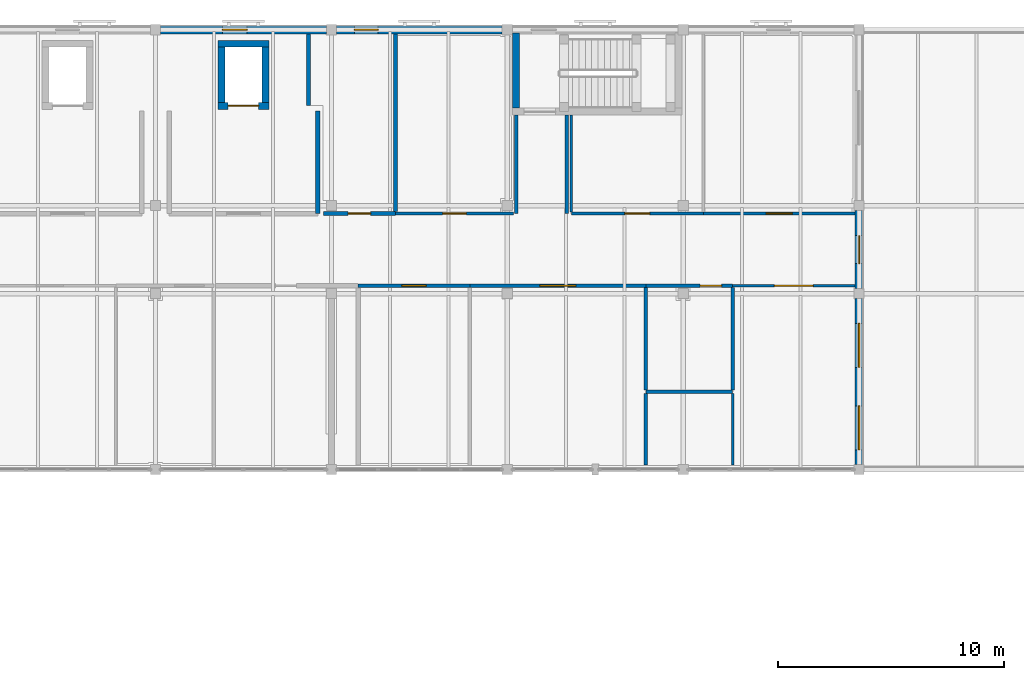
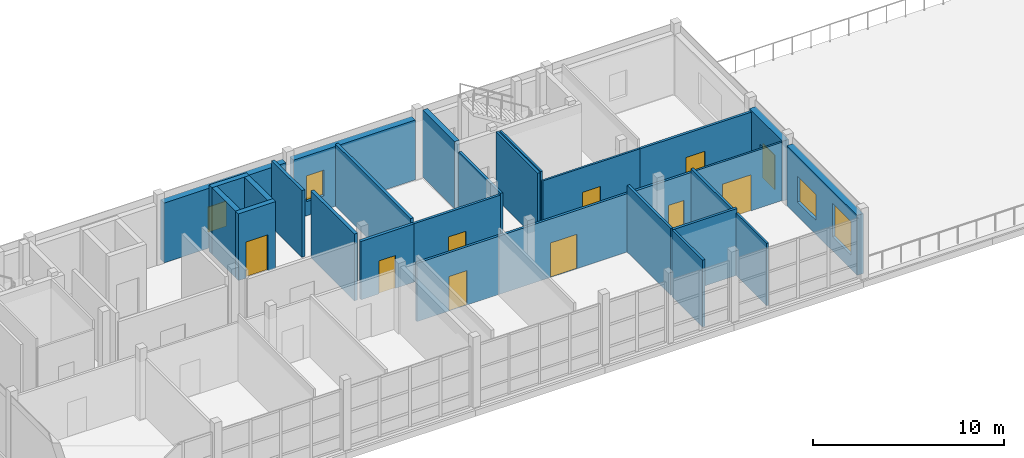
# One storey, part 38 of 45: 28 walls, 10 doors, 4 windows, 14 openings.
"""IFC4 building model written with IfcOpenShell, lengths in metres."""

from ifc_helpers import new_model, si_unit, direction, frame, frame_2d, origin, place, context, subcontext, project, spatial, rectangle, extrude, material, layer, layer_set, type_object, element, fill, save


model = new_model("IFC4")

# Units and contexts
model_context = context("Model", 3, precision=1e-05, world=origin(), true_north=direction((0.0, 1.0)))
body_context = subcontext(model_context, "Body", "Model", "MODEL_VIEW")
ifc_project = project(units=[si_unit("LENGTHUNIT", "METRE"), si_unit("AREAUNIT", "SQUARE_METRE"), si_unit("VOLUMEUNIT", "CUBIC_METRE"), si_unit("PLANEANGLEUNIT", "RADIAN"), si_unit("MASSUNIT", "GRAM", prefix="KILO")], contexts=[model_context])

# Site, building, storey
site_placement = place(None, origin())
site = spatial("IfcSite", under=ifc_project, at=site_placement, CompositionType="ELEMENT")
building_placement = place(site_placement, origin())
building = spatial("IfcBuilding", under=site, at=building_placement, Name="Celorna Specialist Clinic", CompositionType="ELEMENT")
storey_placement = place(building_placement, frame((0.0, 0.0, 18.60009765625)))
storey = spatial("IfcBuildingStorey", under=building, at=storey_placement, Name="L04", CompositionType="ELEMENT", Elevation=18.60009765625)

# Wall, opening, window
ifc_material_1 = material(Name="Terracotta masonry with insulated cavity", Category="masonry")
ifc_layer_1 = layer(ifc_material_1, 0.3798828125, Name="Terracotta masonry with insulated cavity")
ifc_layer_set_1 = layer_set([ifc_layer_1], Name="Terracotta masonry with insulated cavity")
wall_type_1 = type_object("IfcWallType", Name="WT-06", PredefinedType="STANDARD", material=ifc_layer_set_1)
wall_1_placement = place(storey_placement, frame((62.625, 116.0, 0.0), z_axis=(0.0, 0.0, 1.0), x_axis=(1.0, 0.0, 0.0)))
wall_1 = element("IfcWall", 1, at=wall_1_placement, inside=storey, type_object=wall_type_1, Name="External facade wall WT-06 #276", PredefinedType="STANDARD", context=body_context, shape_type="SweptSolid", body=[
    extrude(rectangle(XDim=7.35009765625, YDim=0.3798828125, at=frame_2d((3.675048828125, 0.0))), origin(), (0.0, 0.0, 1.0), 3.81982421875),
])
opening_1_placement = place(wall_1_placement, frame((2.742431640625, 0.0, 0.89990234375)))
opening_1 = element("IfcOpeningElement", 2, at=opening_1_placement, cuts=wall_1, Name="Opening WN-03", PredefinedType="OPENING", context=body_context, shape_type="SweptSolid", body=[
    extrude(rectangle(XDim=1.10009765625, YDim=1.60009765625, at=frame_2d((0.550048828125, 0.800048828125))), frame((0.0, 0.199951171875, 0.0), z_axis=(0.0, -1.0, 0.0), x_axis=(1.0, 0.0, 0.0)), (0.0, 0.0, 1.0), 0.39990234375),
])
ifc_material_2 = material(Name="Thermally broken aluminium triple-glazed window", Category="aluminium")
window_type_1 = type_object("IfcWindowType", Name="WN-03", PartitioningType="SINGLE_PANEL", PredefinedType="WINDOW", material=ifc_material_2)
window_1_placement = place(opening_1_placement, origin())
window_1 = element("IfcWindow", 3, at=window_1_placement, inside=storey, type_object=window_type_1, Name="Facade window WN-03 #155", OverallHeight=1.60009765625, OverallWidth=1.10009765625, PartitioningType="SINGLE_PANEL", PredefinedType="WINDOW", context=body_context, shape_type="SweptSolid", body=[
    extrude(rectangle(XDim=1.10009765625, YDim=1.60009765625, at=frame_2d((0.550048828125, 0.800048828125))), frame((0.0, 0.030029296875, 0.0), z_axis=(0.0, -1.0, 0.0), x_axis=(1.0, 0.0, 0.0)), (0.0, 0.0, 1.0), 0.06005859375),
])
fill(opening_1, window_1)

wall_2_placement = place(storey_placement, frame((70.425048828125, 116.0, 0.0), z_axis=(0.0, 0.0, 1.0), x_axis=(1.0, 0.0, 0.0)))
wall_2 = element("IfcWall", 4, at=wall_2_placement, inside=storey, type_object=wall_type_1, Name="External facade wall WT-06 #277", PredefinedType="STANDARD", context=body_context, shape_type="SweptSolid", body=[
    extrude(rectangle(XDim=7.349853515625, YDim=0.3798828125, at=frame_2d((3.6748046875, 0.0))), origin(), (0.0, 0.0, 1.0), 3.81982421875),
])
opening_2_placement = place(wall_2_placement, frame((0.79248046875, 0.0, 0.89990234375)))
opening_2 = element("IfcOpeningElement", 5, at=opening_2_placement, cuts=wall_2, Name="Opening WN-21", PredefinedType="OPENING", context=body_context, shape_type="SweptSolid", body=[
    extrude(rectangle(XDim=1.050048828125, YDim=1.64990234375, at=frame_2d((0.52490234375, 0.824951171875))), frame((0.0, 0.199951171875, 0.0), z_axis=(0.0, -1.0, 0.0), x_axis=(1.0, 0.0, 0.0)), (0.0, 0.0, 1.0), 0.39990234375),
])
window_type_2 = type_object("IfcWindowType", Name="WN-21", PartitioningType="SINGLE_PANEL", PredefinedType="WINDOW", material=ifc_material_2)
window_2_placement = place(opening_2_placement, origin())
window_2 = element("IfcWindow", 6, at=window_2_placement, inside=storey, type_object=window_type_2, Name="Facade window WN-21 #156", OverallHeight=1.64990234375, OverallWidth=1.050048828125, PartitioningType="SINGLE_PANEL", PredefinedType="WINDOW", context=body_context, shape_type="SweptSolid", body=[
    extrude(rectangle(XDim=1.050048828125, YDim=1.64990234375, at=frame_2d((0.52490234375, 0.824951171875))), frame((0.0, 0.030029296875, 0.0), z_axis=(0.0, -1.0, 0.0), x_axis=(1.0, 0.0, 0.0)), (0.0, 0.0, 1.0), 0.06005859375),
])
fill(opening_2, window_2)

# Wall, openings, windows
wall_3_placement = place(storey_placement, frame((93.60009765625, 104.074951171875, 0.0), z_axis=(0.0, 0.0, 1.0), x_axis=(0.0, -1.0, 0.0)))
wall_3 = element("IfcWall", 7, at=wall_3_placement, inside=storey, type_object=wall_type_1, Name="External facade wall WT-06 #283", PredefinedType="STANDARD", context=body_context, shape_type="SweptSolid", body=[
    extrude(rectangle(XDim=7.349853515625, YDim=0.3798828125, at=frame_2d((3.6748046875, 0.0))), origin(), (0.0, 0.0, 1.0), 3.81982421875),
])
opening_3_placement = place(wall_3_placement, frame((1.097412109375, 0.0, 0.89990234375)))
opening_3 = element("IfcOpeningElement", 8, at=opening_3_placement, cuts=wall_3, Name="Opening WN-15", PredefinedType="OPENING", context=body_context, shape_type="SweptSolid", body=[
    extrude(rectangle(XDim=1.949951171875, YDim=1.64990234375, at=frame_2d((0.97509765625, 0.824951171875))), frame((0.0, 0.199951171875, 0.0), z_axis=(0.0, -1.0, 0.0), x_axis=(1.0, 0.0, 0.0)), (0.0, 0.0, 1.0), 0.39990234375),
])
opening_4_placement = place(wall_3_placement, frame((4.75244140625, 0.0, 0.89990234375)))
opening_4 = element("IfcOpeningElement", 9, at=opening_4_placement, cuts=wall_3, Name="Opening WN-16", PredefinedType="OPENING", context=body_context, shape_type="SweptSolid", body=[
    extrude(rectangle(XDim=1.949951171875, YDim=2.14990234375, at=frame_2d((0.97509765625, 1.074951171875))), frame((0.0, 0.199951171875, 0.0), z_axis=(0.0, -1.0, 0.0), x_axis=(1.0, 0.0, 0.0)), (0.0, 0.0, 1.0), 0.39990234375),
])
ifc_material_3 = material(Name="Screen-aligned modular clinic window")
window_type_3 = type_object("IfcWindowType", Name="WN-15", PartitioningType="SINGLE_PANEL", PredefinedType="WINDOW", material=ifc_material_3)
window_3_placement = place(opening_3_placement, origin())
window_3 = element("IfcWindow", 10, at=window_3_placement, inside=storey, type_object=window_type_3, Name="Facade window WN-15 #162", OverallHeight=1.64990234375, OverallWidth=1.949951171875, PartitioningType="SINGLE_PANEL", PredefinedType="WINDOW", context=body_context, shape_type="SweptSolid", body=[
    extrude(rectangle(XDim=1.949951171875, YDim=1.64990234375, at=frame_2d((0.97509765625, 0.824951171875))), frame((0.0, 0.030029296875, 0.0), z_axis=(0.0, -1.0, 0.0), x_axis=(1.0, 0.0, 0.0)), (0.0, 0.0, 1.0), 0.06005859375),
])
fill(opening_3, window_3)
window_type_4 = type_object("IfcWindowType", Name="WN-16", PartitioningType="SINGLE_PANEL", PredefinedType="WINDOW", material=ifc_material_3)
window_4_placement = place(opening_4_placement, origin())
window_4 = element("IfcWindow", 11, at=window_4_placement, inside=storey, type_object=window_type_4, Name="Facade window WN-16 #163", OverallHeight=2.14990234375, OverallWidth=1.949951171875, PartitioningType="SINGLE_PANEL", PredefinedType="WINDOW", context=body_context, shape_type="SweptSolid", body=[
    extrude(rectangle(XDim=1.949951171875, YDim=2.14990234375, at=frame_2d((0.97509765625, 1.074951171875))), frame((0.0, 0.030029296875, 0.0), z_axis=(0.0, -1.0, 0.0), x_axis=(1.0, 0.0, 0.0)), (0.0, 0.0, 1.0), 0.06005859375),
])
fill(opening_4, window_4)

# Wall, opening, door
wall_4_placement = place(storey_placement, frame((93.60009765625, 107.97509765625, 0.0), z_axis=(0.0, 0.0, 1.0), x_axis=(0.0, -1.0, 0.0)))
wall_4 = element("IfcWall", 12, at=wall_4_placement, inside=storey, type_object=wall_type_1, Name="External facade wall WT-06 #284", PredefinedType="STANDARD", context=body_context, shape_type="SweptSolid", body=[
    extrude(rectangle(XDim=3.4501953125, YDim=0.3798828125, at=frame_2d((1.72509765625, 0.0))), origin(), (0.0, 0.0, 1.0), 3.81982421875),
])
opening_5_placement = place(wall_4_placement, frame((1.10009765625, 0.0, 0.0)))
opening_5 = element("IfcOpeningElement", 13, at=opening_5_placement, cuts=wall_4, Name="Opening DR-13", PredefinedType="OPENING", context=body_context, shape_type="SweptSolid", body=[
    extrude(rectangle(XDim=1.25, YDim=2.199951171875, at=frame_2d((0.625, 1.10009765625))), frame((0.0, 0.199951171875, 0.0), z_axis=(0.0, -1.0, 0.0), x_axis=(1.0, 0.0, 0.0)), (0.0, 0.0, 1.0), 0.39990234375),
])
ifc_material_4 = material(Name="Thermally broken glazed terrace door")
door_type_1 = type_object("IfcDoorType", Name="DR-13", OperationType="NOTDEFINED", PredefinedType="DOOR", material=ifc_material_4)
door_1_placement = place(opening_5_placement, frame((1.25, 0.0, 0.0), z_axis=(0.0, 0.0, 1.0), x_axis=(-1.0, 0.0, 0.0)))
door_1 = element("IfcDoor", 14, at=door_1_placement, inside=storey, type_object=door_type_1, Name="Terrace access door TER-V4-L04", OperationType="SINGLE_SWING_RIGHT", OverallHeight=2.199951171875, OverallWidth=1.25, PredefinedType="DOOR", context=body_context, shape_type="SweptSolid", body=[
    extrude(rectangle(XDim=1.25, YDim=2.199951171875, at=frame_2d((0.625, 1.10009765625))), frame((0.0, 0.02490234375, 0.0), z_axis=(0.0, -1.0, 0.0), x_axis=(1.0, 0.0, 0.0)), (0.0, 0.0, 1.0), 0.050048828125),
])
fill(opening_5, door_1)

# Wall
ifc_material_5 = material(Name="Concrete C35/45", Category="concrete")
ifc_layer_2 = layer(ifc_material_5, 0.300048828125, Name="Concrete C35/45")
ifc_layer_set_2 = layer_set([ifc_layer_2], Name="Concrete C35/45")
wall_type_2 = type_object("IfcWallType", Name="WT-08", PredefinedType="SHEAR", material=ifc_layer_set_2)
wall_5_placement = place(storey_placement, frame((78.389892578125, 115.85009765625, 0.0), z_axis=(0.0, 0.0, 1.0), x_axis=(0.0, -1.0, 0.0)))
element("IfcWall", 15, at=wall_5_placement, inside=storey, type_object=wall_type_2, Name="Stair ST-02 RC core wall L04 west", PredefinedType="SHEAR", context=body_context, shape_type="SweptSolid", body=[
    extrude(rectangle(XDim=3.330078125, YDim=0.300048828125, at=frame_2d((1.6650390625, 0.0))), origin(), (0.0, 0.0, 1.0), 4.260009765625),
])

# Wall, opening, door
wall_6_placement = place(storey_placement, frame((65.175048828125, 112.625, 0.0), z_axis=(0.0, 0.0, 1.0), x_axis=(1.0, 0.0, 0.0)))
wall_6 = element("IfcWall", 16, at=wall_6_placement, inside=storey, type_object=wall_type_2, Name="Lift LF-02 RC shaft wall L04", PredefinedType="SHEAR", context=body_context, shape_type="SweptSolid", body=[
    extrude(rectangle(XDim=2.25, YDim=0.300048828125, at=frame_2d((1.125, 0.0))), origin(), (0.0, 0.0, 1.0), 4.260009765625),
])
opening_6_placement = place(wall_6_placement, frame((0.449951171875, 0.0, 0.0)))
opening_6 = element("IfcOpeningElement", 17, at=opening_6_placement, cuts=wall_6, Name="Opening LD-02", PredefinedType="OPENING", context=body_context, shape_type="SweptSolid", body=[
    extrude(rectangle(XDim=1.35009765625, YDim=2.300048828125, at=frame_2d((0.675048828125, 1.14990234375))), frame((0.0, 0.159912109375, 0.0), z_axis=(0.0, -1.0, 0.0), x_axis=(1.0, 0.0, 0.0)), (0.0, 0.0, 1.0), 0.320068359375),
])
ifc_material_6 = material(Name="Firefighting stretcher lift landing sliding door")
door_type_2 = type_object("IfcDoorType", Name="LD-02", OperationType="DOUBLE_DOOR_SLIDING", PredefinedType="DOOR", material=ifc_material_6)
door_2_placement = place(opening_6_placement, origin())
door_2 = element("IfcDoor", 18, at=door_2_placement, inside=storey, type_object=door_type_2, Name="Lift LF-02 sliding landing door L04", OperationType="DOUBLE_DOOR_SLIDING", OverallHeight=2.300048828125, OverallWidth=1.35009765625, PredefinedType="DOOR", context=body_context, shape_type="SweptSolid", body=[
    extrude(rectangle(XDim=1.35009765625, YDim=2.300048828125, at=frame_2d((0.675048828125, 1.14990234375))), frame((0.0, 0.02490234375, 0.0), z_axis=(0.0, -1.0, 0.0), x_axis=(1.0, 0.0, 0.0)), (0.0, 0.0, 1.0), 0.050048828125),
])
fill(opening_6, door_2)

# Walls
wall_7_placement = place(storey_placement, frame((67.425048828125, 115.375, 0.0), z_axis=(0.0, 0.0, 1.0), x_axis=(-1.0, 0.0, 0.0)))
element("IfcWall", 19, at=wall_7_placement, inside=storey, type_object=wall_type_2, Name="Lift LF-02 RC shaft wall L04", PredefinedType="SHEAR", context=body_context, shape_type="SweptSolid", body=[
    extrude(rectangle(XDim=2.25, YDim=0.300048828125, at=frame_2d((1.125, 0.0))), origin(), (0.0, 0.0, 1.0), 4.260009765625),
])
for number, where, z_axis, x_axis, name in (
    (20, (65.324951171875, 115.22509765625, 0.0), (0.0, 0.0, 1.0), (0.0, -1.0, 0.0), "Lift LF-02 RC shaft wall L04"),
    (21, (67.27490234375, 112.77490234375, 0.0), (0.0, 0.0, 1.0), (0.0, 1.0, 0.0), "Lift LF-02 RC shaft wall L04"),
):
    element("IfcWall", number, at=place(storey_placement, frame(where, z_axis=z_axis, x_axis=x_axis)), inside=storey, type_object=wall_type_2, Name=name, PredefinedType="SHEAR", context=body_context, shape_type="SweptSolid", body=[
        extrude(rectangle(XDim=2.4501953125, YDim=0.300048828125, at=frame_2d((1.22509765625, 0.0))), origin(), (0.0, 0.0, 1.0), 4.260009765625),
    ])
ifc_layer_3 = layer(ifc_material_5, 0.199951171875, Name="Concrete C35/45")
ifc_layer_set_3 = layer_set([ifc_layer_3], Name="Concrete C35/45")
wall_type_3 = type_object("IfcWallType", Name="WT-12", PredefinedType="SOLIDWALL", material=ifc_layer_set_3)
wall_8_placement = place(storey_placement, frame((69.60009765625, 107.85009765625, 0.0), z_axis=(0.0, 0.0, 1.0), x_axis=(0.0, 1.0, 0.0)))
element("IfcWall", 22, at=wall_8_placement, inside=storey, type_object=wall_type_3, Name="Firefighting lobby wall LF-02 L04", PredefinedType="SOLIDWALL", context=body_context, shape_type="SweptSolid", body=[
    extrude(rectangle(XDim=4.5498046875, YDim=0.199951171875, at=frame_2d((2.27490234375, 0.0))), origin(), (0.0, 0.0, 1.0), 4.260009765625),
])

# Wall, opening, door
ifc_material_7 = material(Name="Acoustic masonry clinical partition", Category="masonry")
ifc_layer_4 = layer(ifc_material_7, 0.179931640625, Name="Acoustic masonry clinical partition")
ifc_layer_set_4 = layer_set([ifc_layer_4], Name="Acoustic masonry clinical partition")
wall_type_4 = type_object("IfcWallType", Name="WT-13", PredefinedType="PARTITIONING", material=ifc_layer_set_4)
wall_9_placement = place(storey_placement, frame((69.85009765625, 107.85009765625, 0.0), z_axis=(0.0, 0.0, 1.0), x_axis=(1.0, 0.0, 0.0)))
wall_9 = element("IfcWall", 23, at=wall_9_placement, inside=storey, type_object=wall_type_4, Name="Interior partition WT-13 L04-017", PredefinedType="PARTITIONING", context=body_context, shape_type="SweptSolid", body=[
    extrude(rectangle(XDim=3.18994140625, YDim=0.179931640625, at=frame_2d((1.594970703125, 0.0))), origin(), (0.0, 0.0, 1.0), 3.719970703125),
])
opening_7_placement = place(wall_9_placement, frame((1.090087890625, 0.0, 0.0)))
opening_7 = element("IfcOpeningElement", 24, at=opening_7_placement, cuts=wall_9, Name="Opening DR-04", PredefinedType="OPENING", context=body_context, shape_type="SweptSolid", body=[
    extrude(rectangle(XDim=1.0, YDim=2.10009765625, at=frame_2d((0.5, 1.050048828125))), frame((0.0, 0.099853515625, 0.0), z_axis=(0.0, -1.0, 0.0), x_axis=(1.0, 0.0, 0.0)), (0.0, 0.0, 1.0), 0.199951171875),
])
ifc_material_8 = material(Name="Timber consultation suite door", Category="wood")
door_type_3 = type_object("IfcDoorType", Name="DR-04", OperationType="NOTDEFINED", PredefinedType="DOOR", material=ifc_material_8)
door_3_placement = place(opening_7_placement, origin())
door_3 = element("IfcDoor", 25, at=door_3_placement, inside=storey, type_object=door_type_3, Name="Dermatology Minor Surgery Room door L04-017", OperationType="SINGLE_SWING_LEFT", OverallHeight=2.10009765625, OverallWidth=1.0, PredefinedType="DOOR", context=body_context, shape_type="SweptSolid", body=[
    extrude(rectangle(XDim=1.0, YDim=2.10009765625, at=frame_2d((0.5, 1.050048828125))), frame((0.0, 0.02490234375, 0.0), z_axis=(0.0, -1.0, 0.0), x_axis=(1.0, 0.0, 0.0)), (0.0, 0.0, 1.0), 0.050048828125),
])
fill(opening_7, door_3)

# Walls
wall_10_placement = place(storey_placement, frame((69.18994140625, 112.64990234375, 0.0), z_axis=(0.0, 0.0, 1.0), x_axis=(0.0, 1.0, 0.0)))
element("IfcWall", 26, at=wall_10_placement, inside=storey, type_object=wall_type_4, Name="Room dividing partition WT-13 L04-017", PredefinedType="PARTITIONING", context=body_context, shape_type="SweptSolid", body=[
    extrude(rectangle(XDim=3.16015625, YDim=0.179931640625, at=frame_2d((1.580078125, 0.0))), origin(), (0.0, 0.0, 1.0), 4.260009765625),
])
wall_11_placement = place(storey_placement, frame((73.0400390625, 107.93994140625, 0.0), z_axis=(0.0, 0.0, 1.0), x_axis=(0.0, 1.0, 0.0)))
element("IfcWall", 27, at=wall_11_placement, inside=storey, type_object=wall_type_4, Name="Room dividing partition WT-13 L04-017", PredefinedType="PARTITIONING", context=body_context, shape_type="SweptSolid", body=[
    extrude(rectangle(XDim=7.8701171875, YDim=0.179931640625, at=frame_2d((3.93505859375, 0.0))), origin(), (0.0, 0.0, 1.0), 3.97998046875),
])
ifc_material_9 = material(Name="Fire-rated gypsum board partition")
ifc_layer_5 = layer(ifc_material_9, 0.14990234375, Name="Fire-rated gypsum board partition")
ifc_layer_set_5 = layer_set([ifc_layer_5], Name="Fire-rated gypsum board partition")
wall_type_5 = type_object("IfcWallType", Name="WT-14", PredefinedType="PARTITIONING", material=ifc_layer_set_5)
wall_12_placement = place(storey_placement, frame((78.389892578125, 107.85009765625, 0.0), z_axis=(0.0, 0.0, 1.0), x_axis=(0.0, 1.0, 0.0)))
element("IfcWall", 28, at=wall_12_placement, inside=storey, type_object=wall_type_5, Name="Corridor spur partition WT-14", PredefinedType="PARTITIONING", context=body_context, shape_type="SweptSolid", body=[
    extrude(rectangle(XDim=4.369873046875, YDim=0.14990234375, at=frame_2d((2.18505859375, 0.0))), origin(), (0.0, 0.0, 1.0), 3.77001953125),
])
wall_13_placement = place(storey_placement, frame((80.639892578125, 107.85009765625, 0.0), z_axis=(0.0, 0.0, 1.0), x_axis=(0.0, 1.0, 0.0)))
element("IfcWall", 29, at=wall_13_placement, inside=storey, type_object=wall_type_5, Name="Corridor spur partition WT-14", PredefinedType="PARTITIONING", context=body_context, shape_type="SweptSolid", body=[
    extrude(rectangle(XDim=4.369873046875, YDim=0.14990234375, at=frame_2d((2.18505859375, 0.0))), origin(), (0.0, 0.0, 1.0), 4.260009765625),
])

# Wall, opening, door
wall_14_placement = place(storey_placement, frame((76.340087890625, 104.64990234375, 0.0), z_axis=(0.0, 0.0, 1.0), x_axis=(-1.0, 0.0, 0.0)))
wall_14 = element("IfcWall", 30, at=wall_14_placement, inside=storey, type_object=wall_type_5, Name="Interior partition WT-14 L04-012", PredefinedType="PARTITIONING", context=body_context, shape_type="SweptSolid", body=[
    extrude(rectangle(XDim=4.9501953125, YDim=0.14990234375, at=frame_2d((2.47509765625, 0.0))), origin(), (0.0, 0.0, 1.0), 3.719970703125),
])
opening_8_placement = place(wall_14_placement, frame((1.93505859375, 0.0, 0.0)))
opening_8 = element("IfcOpeningElement", 31, at=opening_8_placement, cuts=wall_14, Name="Opening DR-21", PredefinedType="OPENING", context=body_context, shape_type="SweptSolid", body=[
    extrude(rectangle(XDim=1.080078125, YDim=2.199951171875, at=frame_2d((0.5400390625, 1.10009765625))), frame((0.0, 0.0849609375, 0.0), z_axis=(0.0, -1.0, 0.0), x_axis=(1.0, 0.0, 0.0)), (0.0, 0.0, 1.0), 0.169921875),
])
ifc_material_10 = material(Name="Timber outpatient suite door", Category="wood")
door_type_4 = type_object("IfcDoorType", Name="DR-21", OperationType="NOTDEFINED", PredefinedType="DOOR", material=ifc_material_10)
door_4_placement = place(opening_8_placement, origin())
door_4 = element("IfcDoor", 32, at=door_4_placement, inside=storey, type_object=door_type_4, Name="Consulting Room door L04-012", OperationType="SINGLE_SWING_RIGHT", OverallHeight=2.199951171875, OverallWidth=1.080078125, PredefinedType="DOOR", context=body_context, shape_type="SweptSolid", body=[
    extrude(rectangle(XDim=1.080078125, YDim=2.199951171875, at=frame_2d((0.5400390625, 1.10009765625))), frame((0.0, 0.02490234375, 0.0), z_axis=(0.0, -1.0, 0.0), x_axis=(1.0, 0.0, 0.0)), (0.0, 0.0, 1.0), 0.050048828125),
])
fill(opening_8, door_4)

wall_15_placement = place(storey_placement, frame((84.139892578125, 104.64990234375, 0.0), z_axis=(0.0, 0.0, 1.0), x_axis=(-1.0, 0.0, 0.0)))
wall_15 = element("IfcWall", 33, at=wall_15_placement, inside=storey, type_object=wall_type_5, Name="Interior partition WT-14 L04-013", PredefinedType="PARTITIONING", context=body_context, shape_type="SweptSolid", body=[
    extrude(rectangle(XDim=7.7998046875, YDim=0.14990234375, at=frame_2d((3.89990234375, 0.0))), origin(), (0.0, 0.0, 1.0), 3.719970703125),
])
opening_9_placement = place(wall_15_placement, frame((3.10009765625, 0.0, 0.0)))
opening_9 = element("IfcOpeningElement", 34, at=opening_9_placement, cuts=wall_15, Name="Opening DR-12", PredefinedType="OPENING", context=body_context, shape_type="SweptSolid", body=[
    extrude(rectangle(XDim=1.60009765625, YDim=2.199951171875, at=frame_2d((0.800048828125, 1.10009765625))), frame((0.0, 0.0849609375, 0.0), z_axis=(0.0, -1.0, 0.0), x_axis=(1.0, 0.0, 0.0)), (0.0, 0.0, 1.0), 0.169921875),
])
ifc_material_11 = material(Name="Corridor cross-compartment pair door")
door_type_5 = type_object("IfcDoorType", Name="DR-12", OperationType="DOUBLE_DOOR_SINGLE_SWING", PredefinedType="DOOR", material=ifc_material_11)
door_5_placement = place(opening_9_placement, origin())
door_5 = element("IfcDoor", 35, at=door_5_placement, inside=storey, type_object=door_type_5, Name="Outpatient Waiting Lounge door L04-013", OperationType="DOUBLE_DOOR_SINGLE_SWING", OverallHeight=2.199951171875, OverallWidth=1.60009765625, PredefinedType="DOOR", context=body_context, shape_type="SweptSolid", body=[
    extrude(rectangle(XDim=1.60009765625, YDim=2.199951171875, at=frame_2d((0.800048828125, 1.10009765625))), frame((0.0, 0.02490234375, 0.0), z_axis=(0.0, -1.0, 0.0), x_axis=(1.0, 0.0, 0.0)), (0.0, 0.0, 1.0), 0.050048828125),
])
fill(opening_9, door_5)

wall_16_placement = place(storey_placement, frame((87.989990234375, 104.64990234375, 0.0), z_axis=(0.0, 0.0, 1.0), x_axis=(-1.0, 0.0, 0.0)))
wall_16 = element("IfcWall", 36, at=wall_16_placement, inside=storey, type_object=wall_type_5, Name="Interior partition WT-14 L04-014", PredefinedType="PARTITIONING", context=body_context, shape_type="SweptSolid", body=[
    extrude(rectangle(XDim=3.85009765625, YDim=0.14990234375, at=frame_2d((1.925048828125, 0.0))), origin(), (0.0, 0.0, 1.0), 3.719970703125),
])
opening_10_placement = place(wall_16_placement, frame((0.487548828125, 0.0, 0.0)))
opening_10 = element("IfcOpeningElement", 37, at=opening_10_placement, cuts=wall_16, Name="Opening DR-03", PredefinedType="OPENING", context=body_context, shape_type="SweptSolid", body=[
    extrude(rectangle(XDim=0.949951171875, YDim=2.10009765625, at=frame_2d((0.47509765625, 1.050048828125))), frame((0.0, 0.0849609375, 0.0), z_axis=(0.0, -1.0, 0.0), x_axis=(1.0, 0.0, 0.0)), (0.0, 0.0, 1.0), 0.169921875),
])
ifc_material_12 = material(Name="Moisture-resistant accessible WC door")
door_type_6 = type_object("IfcDoorType", Name="DR-03", OperationType="NOTDEFINED", PredefinedType="DOOR", material=ifc_material_12)
door_6_placement = place(opening_10_placement, origin())
door_6 = element("IfcDoor", 38, at=door_6_placement, inside=storey, type_object=door_type_6, Name="Accessible WC door L04-014", OperationType="SINGLE_SWING_RIGHT", OverallHeight=2.10009765625, OverallWidth=0.949951171875, PredefinedType="DOOR", context=body_context, shape_type="SweptSolid", body=[
    extrude(rectangle(XDim=0.949951171875, YDim=2.10009765625, at=frame_2d((0.47509765625, 1.050048828125))), frame((0.0, 0.02490234375, 0.0), z_axis=(0.0, -1.0, 0.0), x_axis=(1.0, 0.0, 0.0)), (0.0, 0.0, 1.0), 0.050048828125),
])
fill(opening_10, door_6)

# Wall
wall_17_placement = place(storey_placement, frame((84.139892578125, 99.949951171875, 0.0), z_axis=(0.0, 0.0, 1.0), x_axis=(1.0, 0.0, 0.0)))
element("IfcWall", 39, at=wall_17_placement, inside=storey, type_object=wall_type_5, Name="Sanitary suite rear partition L04-014", PredefinedType="PARTITIONING", context=body_context, shape_type="SweptSolid", body=[
    extrude(rectangle(XDim=3.85009765625, YDim=0.14990234375, at=frame_2d((1.925048828125, 0.0))), origin(), (0.0, 0.0, 1.0), 4.260009765625),
])

# Wall, opening, door
wall_18_placement = place(storey_placement, frame((73.0400390625, 107.85009765625, 0.0), z_axis=(0.0, 0.0, 1.0), x_axis=(1.0, 0.0, 0.0)))
wall_18 = element("IfcWall", 40, at=wall_18_placement, inside=storey, type_object=wall_type_5, Name="Interior partition WT-14 L04-018", PredefinedType="PARTITIONING", context=body_context, shape_type="SweptSolid", body=[
    extrude(rectangle(XDim=5.22998046875, YDim=0.14990234375, at=frame_2d((2.614990234375, 0.0))), origin(), (0.0, 0.0, 1.0), 3.719970703125),
])
opening_11_placement = place(wall_18_placement, frame((2.090087890625, 0.0, 0.0)))
opening_11 = element("IfcOpeningElement", 41, at=opening_11_placement, cuts=wall_18, Name="Opening DR-05", PredefinedType="OPENING", context=body_context, shape_type="SweptSolid", body=[
    extrude(rectangle(XDim=1.050048828125, YDim=2.14990234375, at=frame_2d((0.52490234375, 1.074951171875))), frame((0.0, 0.0849609375, 0.0), z_axis=(0.0, -1.0, 0.0), x_axis=(1.0, 0.0, 0.0)), (0.0, 0.0, 1.0), 0.169921875),
])
ifc_material_13 = material(Name="Timber examination room door", Category="wood")
door_type_7 = type_object("IfcDoorType", Name="DR-05", OperationType="NOTDEFINED", PredefinedType="DOOR", material=ifc_material_13)
door_7_placement = place(opening_11_placement, origin())
door_7 = element("IfcDoor", 42, at=door_7_placement, inside=storey, type_object=door_type_7, Name="Ophthalmology Laser Treatment Room door L04-018", OperationType="SINGLE_SWING_RIGHT", OverallHeight=2.14990234375, OverallWidth=1.050048828125, PredefinedType="DOOR", context=body_context, shape_type="SweptSolid", body=[
    extrude(rectangle(XDim=1.050048828125, YDim=2.14990234375, at=frame_2d((0.52490234375, 1.074951171875))), frame((0.0, 0.02490234375, 0.0), z_axis=(0.0, -1.0, 0.0), x_axis=(1.0, 0.0, 0.0)), (0.0, 0.0, 1.0), 0.050048828125),
])
fill(opening_11, door_7)

wall_19_placement = place(storey_placement, frame((86.68994140625, 107.85009765625, 0.0), z_axis=(0.0, 0.0, 1.0), x_axis=(1.0, 0.0, 0.0)))
wall_19 = element("IfcWall", 43, at=wall_19_placement, inside=storey, type_object=wall_type_5, Name="Interior partition WT-14 L04-020", PredefinedType="PARTITIONING", context=body_context, shape_type="SweptSolid", body=[
    extrude(rectangle(XDim=6.719970703125, YDim=0.14990234375, at=frame_2d((3.35986328125, 0.0))), origin(), (0.0, 0.0, 1.0), 3.719970703125),
])
opening_12_placement = place(wall_19_placement, frame((2.784912109375, 0.0, 0.0)))
opening_12 = element("IfcOpeningElement", 44, at=opening_12_placement, cuts=wall_19, Name="Opening DR-07", PredefinedType="OPENING", context=body_context, shape_type="SweptSolid", body=[
    extrude(rectangle(XDim=1.14990234375, YDim=2.199951171875, at=frame_2d((0.574951171875, 1.10009765625))), frame((0.0, 0.0849609375, 0.0), z_axis=(0.0, -1.0, 0.0), x_axis=(1.0, 0.0, 0.0)), (0.0, 0.0, 1.0), 0.169921875),
])
ifc_material_14 = material(Name="Hermetic cleanroom airlock door")
door_type_8 = type_object("IfcDoorType", Name="DR-07", OperationType="NOTDEFINED", PredefinedType="DOOR", material=ifc_material_14)
door_8_placement = place(opening_12_placement, origin())
door_8 = element("IfcDoor", 45, at=door_8_placement, inside=storey, type_object=door_type_8, Name="Dermatology Phototherapy Suite door L04-020", OperationType="SINGLE_SWING_RIGHT", OverallHeight=2.199951171875, OverallWidth=1.14990234375, PredefinedType="DOOR", context=body_context, shape_type="SweptSolid", body=[
    extrude(rectangle(XDim=1.14990234375, YDim=2.199951171875, at=frame_2d((0.574951171875, 1.10009765625))), frame((0.0, 0.02490234375, 0.0), z_axis=(0.0, -1.0, 0.0), x_axis=(1.0, 0.0, 0.0)), (0.0, 0.0, 1.0), 0.050048828125),
])
fill(opening_12, door_8)

# Walls
wall_20_placement = place(storey_placement, frame((84.139892578125, 96.68994140625, 0.0), z_axis=(0.0, 0.0, 1.0), x_axis=(0.0, 1.0, 0.0)))
element("IfcWall", 46, at=wall_20_placement, inside=storey, type_object=wall_type_5, Name="Room dividing partition WT-14 L04-013", PredefinedType="PARTITIONING", context=body_context, shape_type="SweptSolid", body=[
    extrude(rectangle(XDim=3.18505859375, YDim=0.14990234375, at=frame_2d((1.592529296875, 0.0))), origin(), (0.0, 0.0, 1.0), 4.260009765625),
])
wall_21_placement = place(storey_placement, frame((84.139892578125, 100.02490234375, 0.0), z_axis=(0.0, 0.0, 1.0), x_axis=(0.0, 1.0, 0.0)))
element("IfcWall", 47, at=wall_21_placement, inside=storey, type_object=wall_type_5, Name="Room dividing partition WT-14 L04-013", PredefinedType="PARTITIONING", context=body_context, shape_type="SweptSolid", body=[
    extrude(rectangle(XDim=4.550048828125, YDim=0.14990234375, at=frame_2d((2.27490234375, 0.0))), origin(), (0.0, 0.0, 1.0), 4.260009765625),
])
wall_22_placement = place(storey_placement, frame((87.989990234375, 100.02490234375, 0.0), z_axis=(0.0, 0.0, 1.0), x_axis=(0.0, 1.0, 0.0)))
element("IfcWall", 48, at=wall_22_placement, inside=storey, type_object=wall_type_5, Name="Room dividing partition WT-14 L04-014", PredefinedType="PARTITIONING", context=body_context, shape_type="SweptSolid", body=[
    extrude(rectangle(XDim=4.550048828125, YDim=0.14990234375, at=frame_2d((2.27490234375, 0.0))), origin(), (0.0, 0.0, 1.0), 3.97998046875),
])

# Wall, opening, door
ifc_material_15 = material(Name="Acoustic gypsum board partition")
ifc_layer_6 = layer(ifc_material_15, 0.1201171875, Name="Acoustic gypsum board partition")
ifc_layer_set_6 = layer_set([ifc_layer_6], Name="Acoustic gypsum board partition")
wall_type_6 = type_object("IfcWallType", Name="WT-15", PredefinedType="PARTITIONING", material=ifc_layer_set_6)
wall_23_placement = place(storey_placement, frame((93.409912109375, 104.64990234375, 0.0), z_axis=(0.0, 0.0, 1.0), x_axis=(-1.0, 0.0, 0.0)))
wall_23 = element("IfcWall", 49, at=wall_23_placement, inside=storey, type_object=wall_type_6, Name="Interior partition WT-15 L04-015", PredefinedType="PARTITIONING", context=body_context, shape_type="SweptSolid", body=[
    extrude(rectangle(XDim=5.419921875, YDim=0.1201171875, at=frame_2d((2.7099609375, 0.0))), origin(), (0.0, 0.0, 1.0), 3.719970703125),
])
opening_13_placement = place(wall_23_placement, frame((1.85009765625, 0.0, 0.0)))
opening_13 = element("IfcOpeningElement", 50, at=opening_13_placement, cuts=wall_23, Name="Opening DR-24", PredefinedType="OPENING", context=body_context, shape_type="SweptSolid", body=[
    extrude(rectangle(XDim=1.719970703125, YDim=2.300048828125, at=frame_2d((0.85986328125, 1.14990234375))), frame((0.0, 0.070068359375, 0.0), z_axis=(0.0, -1.0, 0.0), x_axis=(1.0, 0.0, 0.0)), (0.0, 0.0, 1.0), 0.14013671875),
])
ifc_material_16 = material(Name="Double leaf clinical waiting door")
door_type_9 = type_object("IfcDoorType", Name="DR-24", OperationType="DOUBLE_DOOR_SINGLE_SWING", PredefinedType="DOOR", material=ifc_material_16)
door_9_placement = place(opening_13_placement, origin())
door_9 = element("IfcDoor", 51, at=door_9_placement, inside=storey, type_object=door_type_9, Name="Retinal Tomography Diagnostic Room door L04-015", OperationType="DOUBLE_DOOR_SINGLE_SWING", OverallHeight=2.300048828125, OverallWidth=1.719970703125, PredefinedType="DOOR", context=body_context, shape_type="SweptSolid", body=[
    extrude(rectangle(XDim=1.719970703125, YDim=2.300048828125, at=frame_2d((0.85986328125, 1.14990234375))), frame((0.0, 0.02490234375, 0.0), z_axis=(0.0, -1.0, 0.0), x_axis=(1.0, 0.0, 0.0)), (0.0, 0.0, 1.0), 0.050048828125),
])
fill(opening_13, door_9)

wall_24_placement = place(storey_placement, frame((80.840087890625, 107.85009765625, 0.0), z_axis=(0.0, 0.0, 1.0), x_axis=(1.0, 0.0, 0.0)))
wall_24 = element("IfcWall", 52, at=wall_24_placement, inside=storey, type_object=wall_type_6, Name="Interior partition WT-15 L04-019", PredefinedType="PARTITIONING", context=body_context, shape_type="SweptSolid", body=[
    extrude(rectangle(XDim=5.849853515625, YDim=0.1201171875, at=frame_2d((2.9248046875, 0.0))), origin(), (0.0, 0.0, 1.0), 3.719970703125),
])
opening_14_placement = place(wall_24_placement, frame((2.375, 0.0, 0.0)))
opening_14 = element("IfcOpeningElement", 53, at=opening_14_placement, cuts=wall_24, Name="Opening DR-06", PredefinedType="OPENING", context=body_context, shape_type="SweptSolid", body=[
    extrude(rectangle(XDim=1.10009765625, YDim=2.14990234375, at=frame_2d((0.550048828125, 1.074951171875))), frame((0.0, 0.070068359375, 0.0), z_axis=(0.0, -1.0, 0.0), x_axis=(1.0, 0.0, 0.0)), (0.0, 0.0, 1.0), 0.14013671875),
])
ifc_material_17 = material(Name="Clinical treatment suite door")
door_type_10 = type_object("IfcDoorType", Name="DR-06", OperationType="NOTDEFINED", PredefinedType="DOOR", material=ifc_material_17)
door_10_placement = place(opening_14_placement, origin())
door_10 = element("IfcDoor", 54, at=door_10_placement, inside=storey, type_object=door_type_10, Name="Retinal Tomography Diagnostic Room door L04-019", OperationType="SINGLE_SWING_LEFT", OverallHeight=2.14990234375, OverallWidth=1.10009765625, PredefinedType="DOOR", context=body_context, shape_type="SweptSolid", body=[
    extrude(rectangle(XDim=1.10009765625, YDim=2.14990234375, at=frame_2d((0.550048828125, 1.074951171875))), frame((0.0, 0.02490234375, 0.0), z_axis=(0.0, -1.0, 0.0), x_axis=(1.0, 0.0, 0.0)), (0.0, 0.0, 1.0), 0.050048828125),
])
fill(opening_14, door_10)

# Walls
wall_25_placement = place(storey_placement, frame((87.989990234375, 96.68994140625, 0.0), z_axis=(0.0, 0.0, 1.0), x_axis=(0.0, 1.0, 0.0)))
element("IfcWall", 55, at=wall_25_placement, inside=storey, type_object=wall_type_6, Name="Room dividing partition WT-15 L04-015", PredefinedType="PARTITIONING", context=body_context, shape_type="SweptSolid", body=[
    extrude(rectangle(XDim=3.18505859375, YDim=0.1201171875, at=frame_2d((1.592529296875, 0.0))), origin(), (0.0, 0.0, 1.0), 3.97998046875),
])
wall_26_placement = place(storey_placement, frame((80.840087890625, 107.909912109375, 0.0), z_axis=(0.0, 0.0, 1.0), x_axis=(0.0, 1.0, 0.0)))
element("IfcWall", 56, at=wall_26_placement, inside=storey, type_object=wall_type_6, Name="Room dividing partition WT-15 L04-019", PredefinedType="PARTITIONING", context=body_context, shape_type="SweptSolid", body=[
    extrude(rectangle(XDim=4.31005859375, YDim=0.1201171875, at=frame_2d((2.155029296875, 0.0))), origin(), (0.0, 0.0, 1.0), 4.260009765625),
])

save(model, "model.ifc")
